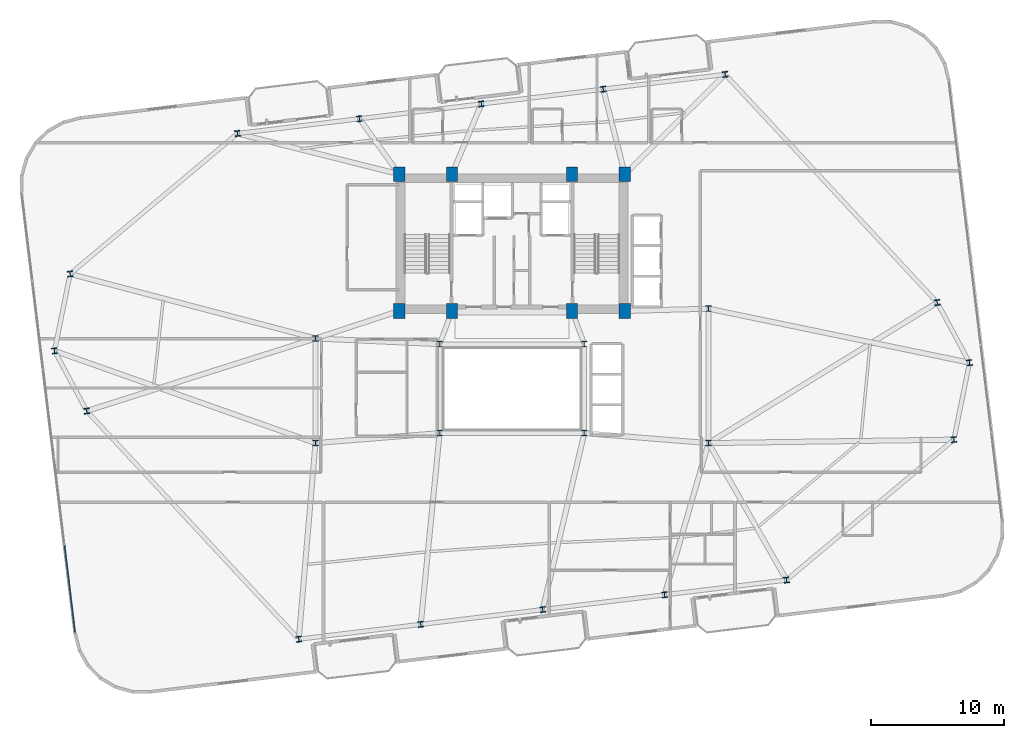
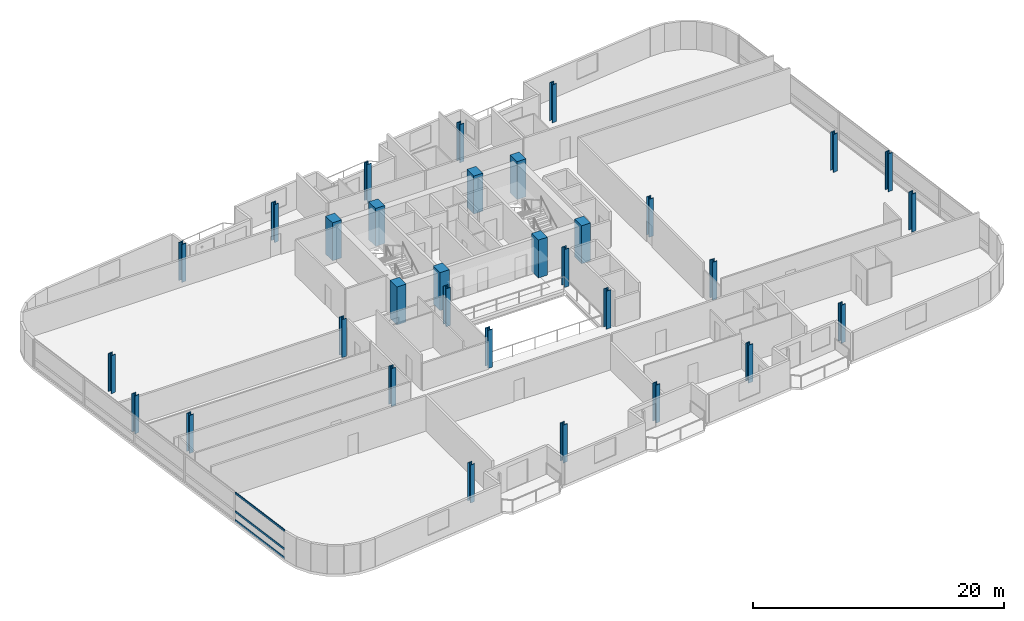
# One storey, part 1 of 22: 32 columns, 3 members, 1 element without a shape of its own.
"""IFC4 building model written with IfcOpenShell, lengths in metres."""

from ifc_helpers import new_model, si_unit, direction, frame, origin, origin_2d, place, context, subcontext, project, spatial, rectangle, hollow_rectangle, i_section, extrude, material, layer, layer_set, material_profile, profile_set, type_object, element, aggregate, save


model = new_model("IFC4")

# Units and contexts
model_context = context("Model", 3, precision=1e-05, world=origin(), true_north=direction((0.0, 1.0)))
body_context = subcontext(model_context, "Body", "Model", "MODEL_VIEW")
ifc_project = project(units=[si_unit("LENGTHUNIT", "METRE"), si_unit("AREAUNIT", "SQUARE_METRE"), si_unit("VOLUMEUNIT", "CUBIC_METRE"), si_unit("PLANEANGLEUNIT", "RADIAN"), si_unit("MASSUNIT", "GRAM", prefix="KILO")], contexts=[model_context])

# Site, building, storey
site_placement = place(None, origin())
site = spatial("IfcSite", under=ifc_project, at=site_placement, CompositionType="ELEMENT")
building_placement = place(site_placement, origin())
building = spatial("IfcBuilding", under=site, at=building_placement, Name="Varnelok Gate Tower", CompositionType="ELEMENT")
storey_placement = place(building_placement, frame((0.0, 0.0, 185.699951171875)))
storey = spatial("IfcBuildingStorey", under=building, at=storey_placement, Name="L47", CompositionType="ELEMENT", Elevation=185.699951171875)

# Columns
ifc_material_1 = material(Name="Concrete C60/75", Category="concrete")
ifc_material_profile_1 = material_profile(ifc_material_1, rectangle(XDim=0.85009765625, YDim=1.10009765625, at=origin_2d()), Name="RC1100X850")
ifc_profile_set_1 = profile_set([ifc_material_profile_1], Name="Concrete C60/75")
column_type_1 = type_object("IfcColumnType", Name="COL-RC1100X850", PredefinedType="COLUMN", material=ifc_profile_set_1)
for number, where, z_axis, x_axis, name in (
    (1, (30.699951171875, 28.75, 0.0), (0.0, 0.0, 1.0), (1.0, 0.0, 0.0), "L47 Core Spine Column SC1"),
    (2, (34.679931640625, 28.75, 0.0), (0.0, 0.0, 1.0), (1.0, 0.0, 0.0), "L47 Core Spine Column SC2"),
    (3, (43.719970703125, 28.75, 0.0), (0.0, 0.0, 1.0), (1.0, 0.0, 0.0), "L47 Core Spine Column SC3"),
    (4, (47.699951171875, 28.75, 0.0), (0.0, 0.0, 1.0), (1.0, 0.0, 0.0), "L47 Core Spine Column SC4"),
    (5, (30.699951171875, 39.050048828125, 0.0), (0.0, 0.0, 1.0), (1.0, 0.0, 0.0), "L47 Core Spine Column SC5"),
    (6, (34.679931640625, 39.050048828125, 0.0), (0.0, 0.0, 1.0), (1.0, 0.0, 0.0), "L47 Core Spine Column SC6"),
    (7, (43.719970703125, 39.050048828125, 0.0), (0.0, 0.0, 1.0), (1.0, 0.0, 0.0), "L47 Core Spine Column SC7"),
    (8, (47.699951171875, 39.050048828125, 0.0), (0.0, 0.0, 1.0), (1.0, 0.0, 0.0), "L47 Core Spine Column SC8"),
):
    element("IfcColumn", number, at=place(storey_placement, frame(where, z_axis=z_axis, x_axis=x_axis)), inside=storey, type_object=column_type_1, Name=name, PredefinedType="COLUMN", context=body_context, shape_type="SweptSolid", body=[
        extrude(rectangle(XDim=0.85009765625, YDim=1.10009765625, at=origin_2d()), origin(), (0.0, 0.0, 1.0), 3.699951171875),
    ])
ifc_material_2 = material(Name="Structural Steel ASTM A992 Grade 50", Category="steel")
ifc_material_profile_2 = material_profile(ifc_material_2, i_section(OverallWidth=0.412109375, OverallDepth=0.43505859375, WebThickness=0.035888671875, FlangeThickness=0.057373046875, FilletRadius=0.02490234375, at=origin_2d()), Name="W14X311")
ifc_profile_set_2 = profile_set([ifc_material_profile_2], Name="Structural Steel ASTM A992 Grade 50")
column_type_2 = type_object("IfcColumnType", Name="COL-W14X311", PredefinedType="COLUMN", material=ifc_profile_set_2)
for number, where, z_axis, x_axis, name in (
    (9, (23.142578125, 4.032958984375, 0.0), (0.0, 0.0, 1.0), (0.992732158755, 0.12034475881, 0.0), "L47 B4 Perimeter Column PC01"),
    (10, (32.325439453125, 5.146240234375, 0.0), (0.0, 0.0, 1.0), (0.992732158755, 0.12034475881, 0.0), "L47 B4 Perimeter Column PC02"),
    (11, (41.50830078125, 6.259521484375, 0.0), (0.0, 0.0, 1.0), (0.992732158755, 0.12034475881, 0.0), "L47 B4 Perimeter Column PC03"),
    (12, (50.69091796875, 7.37255859375, 0.0), (0.0, 0.0, 1.0), (0.992732158755, 0.12034475881, 0.0), "L47 B4 Perimeter Column PC04"),
    (13, (59.873779296875, 8.48583984375, 0.0), (0.0, 0.0, 1.0), (0.992732158755, 0.12034475881, 0.0), "L47 B4 Perimeter Column PC05"),
    (14, (72.476806640625, 19.059326171875, 0.0), (0.0, 0.0, 1.0), (0.992732158755, 0.12034475881, 0.0), "L47 B4 Perimeter Column PC06"),
    (15, (73.654296875, 24.85302734375, 0.0), (0.0, 0.0, 1.0), (0.992732158755, 0.12034475881, 0.0), "L47 B4 Perimeter Column PC07"),
    (16, (71.225341796875, 29.3837890625, 0.0), (0.0, 0.0, 1.0), (0.992732158755, 0.12034475881, 0.0), "L47 B4 Perimeter Column PC08"),
    (17, (55.25732421875, 46.56689453125, 0.0), (0.0, 0.0, 1.0), (0.992732158755, 0.12034475881, 0.0), "L47 B4 Perimeter Column PC09"),
    (18, (46.07470703125, 45.453857421875, 0.0), (0.0, 0.0, 1.0), (0.992732158755, 0.12034475881, 0.0), "L47 B4 Perimeter Column PC10"),
    (19, (36.891845703125, 44.340576171875, 0.0), (0.0, 0.0, 1.0), (0.992732158755, 0.12034475881, 0.0), "L47 B4 Perimeter Column PC11"),
    (20, (27.708984375, 43.227294921875, 0.0), (0.0, 0.0, 1.0), (0.992732158755, 0.12034475881, 0.0), "L47 B4 Perimeter Column PC12"),
    (21, (18.526123046875, 42.1142578125, 0.0), (0.0, 0.0, 1.0), (0.992732158755, 0.12034475881, 0.0), "L47 B4 Perimeter Column PC13"),
    (22, (5.923095703125, 31.540771484375, 0.0), (0.0, 0.0, 1.0), (0.992732158755, 0.12034475881, 0.0), "L47 B4 Perimeter Column PC14"),
    (23, (4.745849609375, 25.746826171875, 0.0), (0.0, 0.0, 1.0), (0.992732158755, 0.12034475881, 0.0), "L47 B4 Perimeter Column PC15"),
    (24, (7.1748046875, 21.21630859375, 0.0), (0.0, 0.0, 1.0), (0.992732158755, 0.12034475881, 0.0), "L47 B4 Perimeter Column PC16"),
):
    element("IfcColumn", number, at=place(storey_placement, frame(where, z_axis=z_axis, x_axis=x_axis)), inside=storey, type_object=column_type_2, Name=name, PredefinedType="COLUMN", context=body_context, shape_type="SweptSolid", body=[
        extrude(i_section(OverallWidth=0.412109375, OverallDepth=0.43505859375, WebThickness=0.035888671875, FlangeThickness=0.057373046875, FilletRadius=0.02490234375, at=origin_2d()), origin(), (0.0, 0.0, 1.0), 3.699951171875),
    ])
ifc_material_profile_3 = material_profile(ifc_material_2, i_section(OverallWidth=0.41796875, OverallDepth=0.455078125, WebThickness=0.0419921875, FlangeThickness=0.067626953125, FilletRadius=0.02490234375, at=origin_2d()), Name="W14X370")
ifc_profile_set_3 = profile_set([ifc_material_profile_3], Name="Structural Steel ASTM A992 Grade 50")
column_type_3 = type_object("IfcColumnType", Name="COL-W14X370", PredefinedType="COLUMN", material=ifc_profile_set_3)
for number, where, z_axis, x_axis, name in (
    (25, (33.75, 19.550048828125, 0.0), (0.0, 0.0, 1.0), (1.0, 0.0, 0.0), "L47 Atrium Spine Column AC1"),
    (26, (44.64990234375, 19.550048828125, 0.0), (0.0, 0.0, 1.0), (1.0, 0.0, 0.0), "L47 Atrium Spine Column AC2"),
    (27, (33.75, 26.25, 0.0), (0.0, 0.0, 1.0), (1.0, 0.0, 0.0), "L47 Atrium Spine Column AC3"),
    (28, (44.64990234375, 26.25, 0.0), (0.0, 0.0, 1.0), (1.0, 0.0, 0.0), "L47 Atrium Spine Column AC4"),
    (29, (24.39990234375, 18.800048828125, 0.0), (0.0, 0.0, 1.0), (1.0, 0.0, 0.0), "L47 Wing Spine Column WS1"),
    (30, (24.39990234375, 26.679931640625, 0.0), (0.0, 0.0, 1.0), (1.0, 0.0, 0.0), "L47 Wing Spine Column WS2"),
    (31, (54.0, 18.800048828125, 0.0), (0.0, 0.0, 1.0), (1.0, 0.0, 0.0), "L47 Wing Spine Column ES1"),
    (32, (54.0, 28.919921875, 0.0), (0.0, 0.0, 1.0), (1.0, 0.0, 0.0), "L47 Wing Spine Column ES2"),
):
    element("IfcColumn", number, at=place(storey_placement, frame(where, z_axis=z_axis, x_axis=x_axis)), inside=storey, type_object=column_type_3, Name=name, PredefinedType="COLUMN", context=body_context, shape_type="SweptSolid", body=[
        extrude(i_section(OverallWidth=0.41796875, OverallDepth=0.455078125, WebThickness=0.0419921875, FlangeThickness=0.067626953125, FilletRadius=0.02490234375, at=origin_2d()), origin(), (0.0, 0.0, 1.0), 3.699951171875),
    ])

# Curtain wall, members
ifc_material_3 = material(Name="Anodized Aluminum Alloy 6063-T6", Category="aluminium")
ifc_layer = layer(ifc_material_3, 0.179931640625)
ifc_layer_set = layer_set([ifc_layer], Name="Anodized Aluminum Alloy 6063-T6")
curtain_wall_type = type_object("IfcCurtainWallType", Name="CW4-RESIDENCE-VISION", PredefinedType="USERDEFINED", material=ifc_layer_set)
curtain_wall_placement = place(storey_placement, origin())
curtain_wall = element("IfcCurtainWall", 33, at=curtain_wall_placement, inside=storey, type_object=curtain_wall_type, Name="L47 West End Vision Curtain Wall", ObjectType="UNITISED CURTAIN WALL", PredefinedType="USERDEFINED")
ifc_material_profile_4 = material_profile(ifc_material_3, hollow_rectangle(XDim=0.074951171875, YDim=0.199951171875, WallThickness=0.00390625, at=origin_2d()), Name="ALU200X75X4")
ifc_profile_set_4 = profile_set([ifc_material_profile_4], Name="Anodized Aluminum Alloy 6063-T6")
member_type = type_object("IfcMemberType", Name="CW-TRAN-200", PredefinedType="USERDEFINED", material=ifc_profile_set_4)
member_1_placement = place(storey_placement, frame((6.29638671875, 4.564453125, 0.03759765625), z_axis=(-0.120369113246, 0.992729206066, 0.0), x_axis=(-0.992729206066, -0.120369113246, 0.0)))
member_1 = element("IfcMember", 34, at=member_1_placement, type_object=member_type, Name="CW4 transom 1.1", ObjectType="TRANSOM", PredefinedType="USERDEFINED", context=body_context, shape_type="SweptSolid", body=[
    extrude(hollow_rectangle(XDim=0.074951171875, YDim=0.199951171875, WallThickness=0.00390625, at=origin_2d()), origin(), (0.0, 0.0, 1.0), 6.567626953125),
])
member_2_placement = place(storey_placement, frame((6.29638671875, 4.564453125, 0.900146484375), z_axis=(-0.120369113246, 0.992729206066, 0.0), x_axis=(-0.992729206066, -0.120369113246, 0.0)))
member_2 = element("IfcMember", 35, at=member_2_placement, type_object=member_type, Name="CW4 transom 1.2", ObjectType="TRANSOM", PredefinedType="USERDEFINED", context=body_context, shape_type="SweptSolid", body=[
    extrude(hollow_rectangle(XDim=0.074951171875, YDim=0.199951171875, WallThickness=0.00390625, at=origin_2d()), origin(), (0.0, 0.0, 1.0), 6.567626953125),
])
member_3_placement = place(storey_placement, frame((6.29638671875, 4.564453125, 2.692626953125), z_axis=(-0.120369113246, 0.992729206066, 0.0), x_axis=(-0.992729206066, -0.120369113246, 0.0)))
member_3 = element("IfcMember", 36, at=member_3_placement, type_object=member_type, Name="CW4 transom 1.3", ObjectType="TRANSOM", PredefinedType="USERDEFINED", context=body_context, shape_type="SweptSolid", body=[
    extrude(hollow_rectangle(XDim=0.074951171875, YDim=0.199951171875, WallThickness=0.00390625, at=origin_2d()), origin(), (0.0, 0.0, 1.0), 6.567626953125),
])
aggregate(curtain_wall, [member_1, member_2, member_3])

save(model, "model.ifc")
